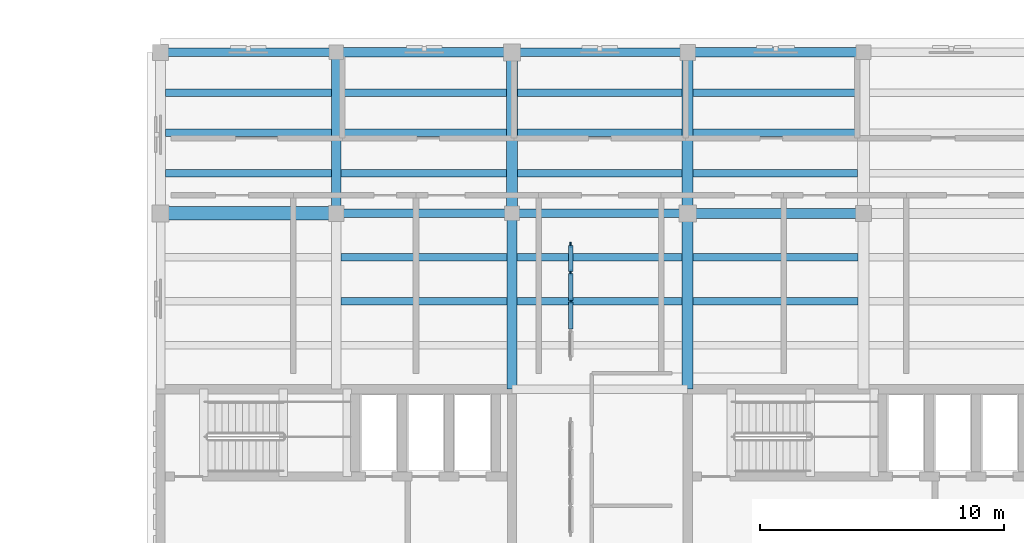
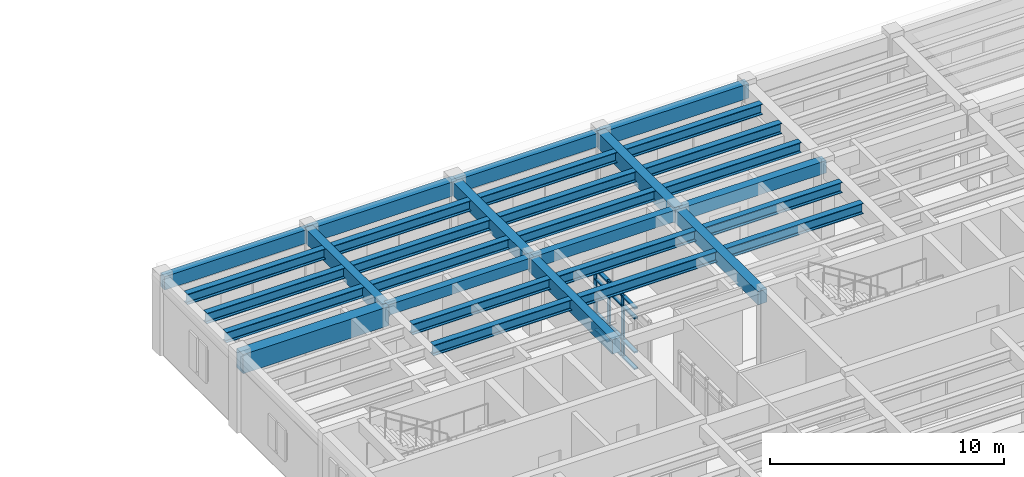
# One storey, part 6 of 40: 31 beams, 15 members, 1 element without a shape of its own.
"""IFC4 building model written with IfcOpenShell, lengths in metres."""

from ifc_helpers import new_model, si_unit, direction, frame, origin, origin_2d, place, context, subcontext, project, spatial, rectangle, i_section, extrude, material, material_profile, profile_set, type_object, element, aggregate, save


model = new_model("IFC4")

# Units and contexts
model_context = context("Model", 3, precision=1e-05, world=origin(), true_north=direction((0.0, 1.0)))
body_context = subcontext(model_context, "Body", "Model", "MODEL_VIEW")
ifc_project = project(units=[si_unit("LENGTHUNIT", "METRE"), si_unit("AREAUNIT", "SQUARE_METRE"), si_unit("VOLUMEUNIT", "CUBIC_METRE"), si_unit("PLANEANGLEUNIT", "RADIAN"), si_unit("MASSUNIT", "GRAM", prefix="KILO")], contexts=[model_context])

# Site, building, storey
site_placement = place(None, origin())
site = spatial("IfcSite", under=ifc_project, at=site_placement, CompositionType="ELEMENT")
building_placement = place(site_placement, origin())
building = spatial("IfcBuilding", under=site, at=building_placement, Name="Mithqara Police Headquarters", CompositionType="ELEMENT")
storey_placement = place(building_placement, frame((0.0, 0.0, 13.800048828125)))
storey = spatial("IfcBuildingStorey", under=building, at=storey_placement, Name="L03", CompositionType="ELEMENT", Elevation=13.800048828125)

# Beams
ifc_material_1 = material(Name="Steel S355JR", Category="steel")
ifc_material_profile_1 = material_profile(ifc_material_1, i_section(OverallWidth=0.300048828125, OverallDepth=0.550048828125, WebThickness=0.014892578125, FlangeThickness=0.029052734375, FilletRadius=0.027099609375, at=origin_2d()), Name="HEB 550")
ifc_profile_set_1 = profile_set([ifc_material_profile_1], Name="Steel S355JR")
beam_type_1 = type_object("IfcBeamType", Name="BEAM HEB550", PredefinedType="BEAM", material=ifc_profile_set_1)
for number, where, z_axis, x_axis, name in (
    (1, (108.800048828125, 109.050048828125, 3.6650390625), (1.0, 0.0, 0.0), (0.0, 1.0, 0.0), "L03 Composite Steel Joist 16-17/R.1"),
    (2, (108.800048828125, 110.699951171875, 3.6650390625), (1.0, 0.0, 0.0), (0.0, 1.0, 0.0), "L03 Composite Steel Joist 16-17/R.2"),
    (3, (108.800048828125, 112.35009765625, 3.6650390625), (1.0, 0.0, 0.0), (0.0, 1.0, 0.0), "L03 Composite Steel Joist 16-17/R.3"),
    (4, (116.0, 103.800048828125, 3.6650390625), (1.0, 0.0, 0.0), (0.0, 1.0, 0.0), "L03 Composite Steel Joist 17-18/Q.2"),
    (5, (116.0, 105.60009765625, 3.6650390625), (1.0, 0.0, 0.0), (0.0, 1.0, 0.0), "L03 Composite Steel Joist 17-18/Q.3"),
):
    element("IfcBeam", number, at=place(storey_placement, frame(where, z_axis=z_axis, x_axis=x_axis)), inside=storey, type_object=beam_type_1, Name=name, PredefinedType="BEAM", context=body_context, shape_type="SweptSolid", body=[
        extrude(i_section(OverallWidth=0.300048828125, OverallDepth=0.550048828125, WebThickness=0.014892578125, FlangeThickness=0.029052734375, FilletRadius=0.027099609375, at=origin_2d()), origin(), (0.0, 0.0, 1.0), 6.800048828125),
    ])
for number, where, z_axis, x_axis, name in (
    (6, (116.0, 109.050048828125, 3.6650390625), (1.0, 0.0, 0.0), (0.0, 1.0, 0.0), "L03 Composite Steel Joist 17-18/R.1"),
    (7, (116.0, 110.699951171875, 3.6650390625), (1.0, 0.0, 0.0), (0.0, 1.0, 0.0), "L03 Composite Steel Joist 17-18/R.2"),
    (8, (116.0, 112.35009765625, 3.6650390625), (1.0, 0.0, 0.0), (0.0, 1.0, 0.0), "L03 Composite Steel Joist 17-18/R.3"),
):
    element("IfcBeam", number, at=place(storey_placement, frame(where, z_axis=z_axis, x_axis=x_axis)), inside=storey, type_object=beam_type_1, Name=name, PredefinedType="BEAM", context=body_context, shape_type="SweptSolid", body=[
        extrude(i_section(OverallWidth=0.300048828125, OverallDepth=0.550048828125, WebThickness=0.014892578125, FlangeThickness=0.029052734375, FilletRadius=0.027099609375, at=origin_2d()), origin(), (0.0, 0.0, 1.0), 6.77490234375),
    ])
for number, where, z_axis, x_axis, name in (
    (9, (123.199951171875, 103.800048828125, 3.6650390625), (1.0, 0.0, 0.0), (0.0, 1.0, 0.0), "L03 Composite Steel Joist 18-19/Q.2"),
    (10, (123.199951171875, 105.60009765625, 3.6650390625), (1.0, 0.0, 0.0), (0.0, 1.0, 0.0), "L03 Composite Steel Joist 18-19/Q.3"),
):
    element("IfcBeam", number, at=place(storey_placement, frame(where, z_axis=z_axis, x_axis=x_axis)), inside=storey, type_object=beam_type_1, Name=name, PredefinedType="BEAM", context=body_context, shape_type="SweptSolid", body=[
        extrude(i_section(OverallWidth=0.300048828125, OverallDepth=0.550048828125, WebThickness=0.014892578125, FlangeThickness=0.029052734375, FilletRadius=0.027099609375, at=origin_2d()), origin(), (0.0, 0.0, 1.0), 6.775146484375),
    ])
for number, where, z_axis, x_axis, name in (
    (11, (123.22509765625, 109.050048828125, 3.6650390625), (1.0, 0.0, 0.0), (0.0, 1.0, 0.0), "L03 Composite Steel Joist 18-19/R.1"),
    (12, (123.22509765625, 110.699951171875, 3.6650390625), (1.0, 0.0, 0.0), (0.0, 1.0, 0.0), "L03 Composite Steel Joist 18-19/R.2"),
    (13, (123.22509765625, 112.35009765625, 3.6650390625), (1.0, 0.0, 0.0), (0.0, 1.0, 0.0), "L03 Composite Steel Joist 18-19/R.3"),
    (14, (130.425048828125, 103.800048828125, 3.6650390625), (1.0, 0.0, 0.0), (0.0, 1.0, 0.0), "L03 Composite Steel Joist 19-20/Q.2"),
    (15, (130.425048828125, 105.60009765625, 3.6650390625), (1.0, 0.0, 0.0), (0.0, 1.0, 0.0), "L03 Composite Steel Joist 19-20/Q.3"),
):
    element("IfcBeam", number, at=place(storey_placement, frame(where, z_axis=z_axis, x_axis=x_axis)), inside=storey, type_object=beam_type_1, Name=name, PredefinedType="BEAM", context=body_context, shape_type="SweptSolid", body=[
        extrude(i_section(OverallWidth=0.300048828125, OverallDepth=0.550048828125, WebThickness=0.014892578125, FlangeThickness=0.029052734375, FilletRadius=0.027099609375, at=origin_2d()), origin(), (0.0, 0.0, 1.0), 6.75),
    ])
for number, where, z_axis, x_axis, name in (
    (16, (130.425048828125, 109.050048828125, 3.6650390625), (1.0, 0.0, 0.0), (0.0, 1.0, 0.0), "L03 Composite Steel Joist 19-20/R.1"),
    (17, (130.425048828125, 110.699951171875, 3.6650390625), (1.0, 0.0, 0.0), (0.0, 1.0, 0.0), "L03 Composite Steel Joist 19-20/R.2"),
    (18, (130.425048828125, 112.35009765625, 3.6650390625), (1.0, 0.0, 0.0), (0.0, 1.0, 0.0), "L03 Composite Steel Joist 19-20/R.3"),
):
    element("IfcBeam", number, at=place(storey_placement, frame(where, z_axis=z_axis, x_axis=x_axis)), inside=storey, type_object=beam_type_1, Name=name, PredefinedType="BEAM", context=body_context, shape_type="SweptSolid", body=[
        extrude(i_section(OverallWidth=0.300048828125, OverallDepth=0.550048828125, WebThickness=0.014892578125, FlangeThickness=0.029052734375, FilletRadius=0.027099609375, at=origin_2d()), origin(), (0.0, 0.0, 1.0), 6.724853515625),
    ])
ifc_material_2 = material(Name="Concrete C40/50", Category="concrete")
ifc_material_profile_2 = material_profile(ifc_material_2, rectangle(XDim=0.35009765625, YDim=0.550048828125, at=origin_2d()), Name="RC 350x550")
ifc_profile_set_2 = profile_set([ifc_material_profile_2], Name="Concrete C40/50")
beam_type_2 = type_object("IfcBeamType", Name="BEAM RC350X550", PredefinedType="BEAM", material=ifc_profile_set_2)
beam_1_placement = place(storey_placement, frame((115.800048828125, 107.39990234375, 3.6650390625), z_axis=(1.0, 0.0, 0.0), x_axis=(0.0, 1.0, 0.0)))
element("IfcBeam", 19, at=beam_1_placement, inside=storey, type_object=beam_type_2, Name="L03 Girder 17-18/R", PredefinedType="BEAM", context=body_context, shape_type="SweptSolid", body=[
    extrude(rectangle(XDim=0.35009765625, YDim=0.550048828125, at=origin_2d()), origin(), (0.0, 0.0, 1.0), 7.199951171875),
])
ifc_material_profile_3 = material_profile(ifc_material_2, rectangle(XDim=0.35009765625, YDim=0.60009765625, at=origin_2d()), Name="RC 350x600")
ifc_profile_set_3 = profile_set([ifc_material_profile_3], Name="Concrete C40/50")
beam_type_3 = type_object("IfcBeamType", Name="BEAM RC350X600", PredefinedType="BEAM", material=ifc_profile_set_3)
beam_2_placement = place(storey_placement, frame((123.0, 107.39990234375, 3.639892578125), z_axis=(1.0, 0.0, 0.0), x_axis=(0.0, 1.0, 0.0)))
element("IfcBeam", 20, at=beam_2_placement, inside=storey, type_object=beam_type_3, Name="L03 Girder 18-19/R", PredefinedType="BEAM", context=body_context, shape_type="SweptSolid", body=[
    extrude(rectangle(XDim=0.35009765625, YDim=0.60009765625, at=origin_2d()), origin(), (0.0, 0.0, 1.0), 7.199951171875),
])
ifc_material_profile_4 = material_profile(ifc_material_2, rectangle(XDim=0.39990234375, YDim=0.64990234375, at=origin_2d()), Name="RC 400x650")
ifc_profile_set_4 = profile_set([ifc_material_profile_4], Name="Concrete C40/50")
beam_type_4 = type_object("IfcBeamType", Name="BEAM RC400X650", PredefinedType="BEAM", material=ifc_profile_set_4)
beam_3_placement = place(storey_placement, frame((130.199951171875, 107.39990234375, 3.614990234375), z_axis=(1.0, 0.0, 0.0), x_axis=(0.0, 1.0, 0.0)))
element("IfcBeam", 21, at=beam_3_placement, inside=storey, type_object=beam_type_4, Name="L03 Girder 19-20/R", PredefinedType="BEAM", context=body_context, shape_type="SweptSolid", body=[
    extrude(rectangle(XDim=0.39990234375, YDim=0.64990234375, at=origin_2d()), origin(), (0.0, 0.0, 1.0), 7.199951171875),
])
ifc_material_profile_5 = material_profile(ifc_material_2, rectangle(XDim=0.39990234375, YDim=0.75, at=origin_2d()), Name="RC 400x750")
ifc_profile_set_5 = profile_set([ifc_material_profile_5], Name="Concrete C40/50")
beam_type_5 = type_object("IfcBeamType", Name="BEAM RC400X750", PredefinedType="BEAM", material=ifc_profile_set_5)
beam_4_placement = place(storey_placement, frame((115.800048828125, 107.39990234375, 3.56494140625), z_axis=(0.0, 1.0, 0.0), x_axis=(-1.0, 0.0, 0.0)))
element("IfcBeam", 22, at=beam_4_placement, inside=storey, type_object=beam_type_5, Name="L03 Girder 17/R-S", PredefinedType="BEAM", context=body_context, shape_type="SweptSolid", body=[
    extrude(rectangle(XDim=0.39990234375, YDim=0.75, at=origin_2d()), origin(), (0.0, 0.0, 1.0), 6.60009765625),
])
beam_5_placement = place(storey_placement, frame((123.0, 100.199951171875, 3.56494140625), z_axis=(0.0, 1.0, 0.0), x_axis=(-1.0, 0.0, 0.0)))
element("IfcBeam", 23, at=beam_5_placement, inside=storey, type_object=beam_type_5, Name="L03 Girder 18/Q-R", PredefinedType="BEAM", context=body_context, shape_type="SweptSolid", body=[
    extrude(rectangle(XDim=0.39990234375, YDim=0.75, at=origin_2d()), origin(), (0.0, 0.0, 1.0), 7.199951171875),
])
ifc_material_profile_6 = material_profile(ifc_material_2, rectangle(XDim=0.449951171875, YDim=0.699951171875, at=origin_2d()), Name="RC 450x700")
ifc_profile_set_6 = profile_set([ifc_material_profile_6], Name="Concrete C40/50")
beam_type_6 = type_object("IfcBeamType", Name="BEAM RC450X700", PredefinedType="BEAM", material=ifc_profile_set_6)
beam_6_placement = place(storey_placement, frame((123.0, 107.39990234375, 3.58984375), z_axis=(0.0, 1.0, 0.0), x_axis=(-1.0, 0.0, 0.0)))
element("IfcBeam", 24, at=beam_6_placement, inside=storey, type_object=beam_type_6, Name="L03 Girder 18/R-S", PredefinedType="BEAM", context=body_context, shape_type="SweptSolid", body=[
    extrude(rectangle(XDim=0.449951171875, YDim=0.699951171875, at=origin_2d()), origin(), (0.0, 0.0, 1.0), 6.60009765625),
])
beam_7_placement = place(storey_placement, frame((130.199951171875, 100.199951171875, 3.58984375), z_axis=(0.0, 1.0, 0.0), x_axis=(-1.0, 0.0, 0.0)))
element("IfcBeam", 25, at=beam_7_placement, inside=storey, type_object=beam_type_6, Name="L03 Girder 19/Q-R", PredefinedType="BEAM", context=body_context, shape_type="SweptSolid", body=[
    extrude(rectangle(XDim=0.449951171875, YDim=0.699951171875, at=origin_2d()), origin(), (0.0, 0.0, 1.0), 7.199951171875),
])
ifc_material_profile_7 = material_profile(ifc_material_2, rectangle(XDim=0.449951171875, YDim=0.800048828125, at=origin_2d()), Name="RC 450x800")
ifc_profile_set_7 = profile_set([ifc_material_profile_7], Name="Concrete C40/50")
beam_type_7 = type_object("IfcBeamType", Name="BEAM RC450X800", PredefinedType="BEAM", material=ifc_profile_set_7)
beam_8_placement = place(storey_placement, frame((130.199951171875, 107.39990234375, 3.5400390625), z_axis=(0.0, 1.0, 0.0), x_axis=(-1.0, 0.0, 0.0)))
element("IfcBeam", 26, at=beam_8_placement, inside=storey, type_object=beam_type_7, Name="L03 Girder 19/R-S", PredefinedType="BEAM", context=body_context, shape_type="SweptSolid", body=[
    extrude(rectangle(XDim=0.449951171875, YDim=0.800048828125, at=origin_2d()), origin(), (0.0, 0.0, 1.0), 6.60009765625),
])
ifc_material_3 = material(Name="Concrete C50/60", Category="concrete")
ifc_material_profile_8 = material_profile(ifc_material_3, rectangle(XDim=0.550048828125, YDim=1.0, at=origin_2d()), Name="RC 550x1000")
ifc_profile_set_8 = profile_set([ifc_material_profile_8], Name="Concrete C50/60")
beam_type_8 = type_object("IfcBeamType", Name="BEAM RC550X1000", PredefinedType="BEAM", material=ifc_profile_set_8)
beam_9_placement = place(storey_placement, frame((108.60009765625, 107.39990234375, 3.43994140625), z_axis=(1.0, 0.0, 0.0), x_axis=(0.0, 1.0, 0.0)))
element("IfcBeam", 27, at=beam_9_placement, inside=storey, type_object=beam_type_8, Name="L03 Girder 16-17/R", PredefinedType="BEAM", context=body_context, shape_type="SweptSolid", body=[
    extrude(rectangle(XDim=0.550048828125, YDim=1.0, at=origin_2d()), origin(), (0.0, 0.0, 1.0), 7.199951171875),
])

# Curtain wall, members
ifc_material_4 = material(Name="Bronze anodised aluminium 6063-T6", Category="aluminium")
curtain_wall_type = type_object("IfcCurtainWallType", Name="CURTAIN WALL 4700X3220", PredefinedType="USERDEFINED", material=ifc_material_4)
curtain_wall_placement = place(storey_placement, origin())
curtain_wall = element("IfcCurtainWall", 28, at=curtain_wall_placement, inside=storey, type_object=curtain_wall_type, Name="L03 Unitised Glazing CW-16 (CW-INT-L03-X17-Y14-0)", ObjectType="UNITISED GLAZING", PredefinedType="USERDEFINED")
ifc_material_profile_9 = material_profile(ifc_material_4, rectangle(XDim=0.074951171875, YDim=0.219970703125, at=origin_2d()), Name="CWM 75x220")
ifc_profile_set_9 = profile_set([ifc_material_profile_9], Name="Bronze anodised aluminium 6063-T6")
member_type_1 = type_object("IfcMemberType", Name="CWMULLION 75X220", PredefinedType="MULLION", material=ifc_profile_set_9)
member_1_placement = place(storey_placement, frame((125.39990234375, 103.800048828125, 0.0), z_axis=(0.0, 0.0, 1.0), x_axis=(-1.0, 0.0, 0.0)))
member_1 = element("IfcMember", 29, at=member_1_placement, type_object=member_type_1, Name="CW-16 mullion 3", PredefinedType="MULLION", context=body_context, shape_type="SweptSolid", body=[
    extrude(rectangle(XDim=0.074951171875, YDim=0.219970703125, at=origin_2d()), origin(), (0.0, 0.0, 1.0), 3.219970703125),
])
member_2_placement = place(storey_placement, frame((125.39990234375, 104.97509765625, 0.0), z_axis=(0.0, 0.0, 1.0), x_axis=(-1.0, 0.0, 0.0)))
member_2 = element("IfcMember", 30, at=member_2_placement, type_object=member_type_1, Name="CW-16 mullion 4", PredefinedType="MULLION", context=body_context, shape_type="SweptSolid", body=[
    extrude(rectangle(XDim=0.074951171875, YDim=0.219970703125, at=origin_2d()), origin(), (0.0, 0.0, 1.0), 3.219970703125),
])
member_3_placement = place(storey_placement, frame((125.39990234375, 106.112548828125, 0.0), z_axis=(0.0, 0.0, 1.0), x_axis=(-1.0, 0.0, 0.0)))
member_3 = element("IfcMember", 31, at=member_3_placement, type_object=member_type_1, Name="CW-16 mullion 5", PredefinedType="MULLION", context=body_context, shape_type="SweptSolid", body=[
    extrude(rectangle(XDim=0.074951171875, YDim=0.219970703125, at=origin_2d()), origin(), (0.0, 0.0, 1.0), 3.219970703125),
])
ifc_material_profile_10 = material_profile(ifc_material_4, rectangle(XDim=0.179931640625, YDim=0.074951171875, at=origin_2d()), Name="CWT 180x75")
ifc_profile_set_10 = profile_set([ifc_material_profile_10], Name="Bronze anodised aluminium 6063-T6")
member_type_2 = type_object("IfcMemberType", Name="CWTRANSOM 180X75", PredefinedType="USERDEFINED", material=ifc_profile_set_10)
member_4_placement = place(storey_placement, frame((125.39990234375, 102.66259765625, 0.037353515625), z_axis=(0.0, 1.0, 0.0), x_axis=(-1.0, 0.0, 0.0)))
member_4 = element("IfcMember", 32, at=member_4_placement, type_object=member_type_2, Name="CW-16 transom 2.1", ObjectType="TRANSOM", PredefinedType="USERDEFINED", context=body_context, shape_type="SweptSolid", body=[
    extrude(rectangle(XDim=0.179931640625, YDim=0.074951171875, at=origin_2d()), origin(), (0.0, 0.0, 1.0), 1.099853515625),
])
member_5_placement = place(storey_placement, frame((125.39990234375, 102.66259765625, 0.89990234375), z_axis=(0.0, 1.0, 0.0), x_axis=(-1.0, 0.0, 0.0)))
member_5 = element("IfcMember", 33, at=member_5_placement, type_object=member_type_2, Name="CW-16 transom 2.2", ObjectType="TRANSOM", PredefinedType="USERDEFINED", context=body_context, shape_type="SweptSolid", body=[
    extrude(rectangle(XDim=0.179931640625, YDim=0.074951171875, at=origin_2d()), origin(), (0.0, 0.0, 1.0), 1.099853515625),
])
member_6_placement = place(storey_placement, frame((125.39990234375, 102.66259765625, 2.669921875), z_axis=(0.0, 1.0, 0.0), x_axis=(-1.0, 0.0, 0.0)))
member_6 = element("IfcMember", 34, at=member_6_placement, type_object=member_type_2, Name="CW-16 transom 2.3", ObjectType="TRANSOM", PredefinedType="USERDEFINED", context=body_context, shape_type="SweptSolid", body=[
    extrude(rectangle(XDim=0.179931640625, YDim=0.074951171875, at=origin_2d()), origin(), (0.0, 0.0, 1.0), 1.099853515625),
])
member_7_placement = place(storey_placement, frame((125.39990234375, 102.66259765625, 3.182373046875), z_axis=(0.0, 1.0, 0.0), x_axis=(-1.0, 0.0, 0.0)))
member_7 = element("IfcMember", 35, at=member_7_placement, type_object=member_type_2, Name="CW-16 transom 2.4", ObjectType="TRANSOM", PredefinedType="USERDEFINED", context=body_context, shape_type="SweptSolid", body=[
    extrude(rectangle(XDim=0.179931640625, YDim=0.074951171875, at=origin_2d()), origin(), (0.0, 0.0, 1.0), 1.099853515625),
])
member_8_placement = place(storey_placement, frame((125.39990234375, 103.83740234375, 0.037353515625), z_axis=(0.0, 1.0, 0.0), x_axis=(-1.0, 0.0, 0.0)))
member_8 = element("IfcMember", 36, at=member_8_placement, type_object=member_type_2, Name="CW-16 transom 3.1", ObjectType="TRANSOM", PredefinedType="USERDEFINED", context=body_context, shape_type="SweptSolid", body=[
    extrude(rectangle(XDim=0.179931640625, YDim=0.074951171875, at=origin_2d()), origin(), (0.0, 0.0, 1.0), 1.10009765625),
])
member_9_placement = place(storey_placement, frame((125.39990234375, 103.83740234375, 0.89990234375), z_axis=(0.0, 1.0, 0.0), x_axis=(-1.0, 0.0, 0.0)))
member_9 = element("IfcMember", 37, at=member_9_placement, type_object=member_type_2, Name="CW-16 transom 3.2", ObjectType="TRANSOM", PredefinedType="USERDEFINED", context=body_context, shape_type="SweptSolid", body=[
    extrude(rectangle(XDim=0.179931640625, YDim=0.074951171875, at=origin_2d()), origin(), (0.0, 0.0, 1.0), 1.10009765625),
])
member_10_placement = place(storey_placement, frame((125.39990234375, 103.83740234375, 2.669921875), z_axis=(0.0, 1.0, 0.0), x_axis=(-1.0, 0.0, 0.0)))
member_10 = element("IfcMember", 38, at=member_10_placement, type_object=member_type_2, Name="CW-16 transom 3.3", ObjectType="TRANSOM", PredefinedType="USERDEFINED", context=body_context, shape_type="SweptSolid", body=[
    extrude(rectangle(XDim=0.179931640625, YDim=0.074951171875, at=origin_2d()), origin(), (0.0, 0.0, 1.0), 1.10009765625),
])
member_11_placement = place(storey_placement, frame((125.39990234375, 103.83740234375, 3.182373046875), z_axis=(0.0, 1.0, 0.0), x_axis=(-1.0, 0.0, 0.0)))
member_11 = element("IfcMember", 39, at=member_11_placement, type_object=member_type_2, Name="CW-16 transom 3.4", ObjectType="TRANSOM", PredefinedType="USERDEFINED", context=body_context, shape_type="SweptSolid", body=[
    extrude(rectangle(XDim=0.179931640625, YDim=0.074951171875, at=origin_2d()), origin(), (0.0, 0.0, 1.0), 1.10009765625),
])
member_12_placement = place(storey_placement, frame((125.39990234375, 105.012451171875, 0.037353515625), z_axis=(0.0, 1.0, 0.0), x_axis=(-1.0, 0.0, 0.0)))
member_12 = element("IfcMember", 40, at=member_12_placement, type_object=member_type_2, Name="CW-16 transom 4.1", ObjectType="TRANSOM", PredefinedType="USERDEFINED", context=body_context, shape_type="SweptSolid", body=[
    extrude(rectangle(XDim=0.179931640625, YDim=0.074951171875, at=origin_2d()), origin(), (0.0, 0.0, 1.0), 1.0625),
])
member_13_placement = place(storey_placement, frame((125.39990234375, 105.012451171875, 0.89990234375), z_axis=(0.0, 1.0, 0.0), x_axis=(-1.0, 0.0, 0.0)))
member_13 = element("IfcMember", 41, at=member_13_placement, type_object=member_type_2, Name="CW-16 transom 4.2", ObjectType="TRANSOM", PredefinedType="USERDEFINED", context=body_context, shape_type="SweptSolid", body=[
    extrude(rectangle(XDim=0.179931640625, YDim=0.074951171875, at=origin_2d()), origin(), (0.0, 0.0, 1.0), 1.0625),
])
member_14_placement = place(storey_placement, frame((125.39990234375, 105.012451171875, 2.669921875), z_axis=(0.0, 1.0, 0.0), x_axis=(-1.0, 0.0, 0.0)))
member_14 = element("IfcMember", 42, at=member_14_placement, type_object=member_type_2, Name="CW-16 transom 4.3", ObjectType="TRANSOM", PredefinedType="USERDEFINED", context=body_context, shape_type="SweptSolid", body=[
    extrude(rectangle(XDim=0.179931640625, YDim=0.074951171875, at=origin_2d()), origin(), (0.0, 0.0, 1.0), 1.0625),
])
member_15_placement = place(storey_placement, frame((125.39990234375, 105.012451171875, 3.182373046875), z_axis=(0.0, 1.0, 0.0), x_axis=(-1.0, 0.0, 0.0)))
member_15 = element("IfcMember", 43, at=member_15_placement, type_object=member_type_2, Name="CW-16 transom 4.4", ObjectType="TRANSOM", PredefinedType="USERDEFINED", context=body_context, shape_type="SweptSolid", body=[
    extrude(rectangle(XDim=0.179931640625, YDim=0.074951171875, at=origin_2d()), origin(), (0.0, 0.0, 1.0), 1.0625),
])
aggregate(curtain_wall, [member_1, member_2, member_3, member_4, member_5, member_6, member_7, member_8, member_9, member_10, member_11, member_12, member_13, member_14, member_15])

# Beams
ifc_material_profile_11 = material_profile(ifc_material_2, rectangle(XDim=0.35009765625, YDim=0.699951171875, at=origin_2d()), Name="SPB 350x700")
ifc_profile_set_11 = profile_set([ifc_material_profile_11], Name="Concrete C40/50")
beam_type_9 = type_object("IfcBeamType", Name="SPANDREL 350X700", PredefinedType="SPANDREL", material=ifc_profile_set_11)
for number, where, z_axis, x_axis, name in (
    (44, (108.60009765625, 114.0, 3.58984375), (1.0, 0.0, 0.0), (0.0, 1.0, 0.0), "L03 Girder 16-17/S"),
    (45, (123.0, 114.0, 3.58984375), (1.0, 0.0, 0.0), (0.0, 1.0, 0.0), "L03 Girder 18-19/S"),
):
    element("IfcBeam", number, at=place(storey_placement, frame(where, z_axis=z_axis, x_axis=x_axis)), inside=storey, type_object=beam_type_9, Name=name, PredefinedType="SPANDREL", context=body_context, shape_type="SweptSolid", body=[
        extrude(rectangle(XDim=0.35009765625, YDim=0.699951171875, at=origin_2d()), origin(), (0.0, 0.0, 1.0), 7.199951171875),
    ])
ifc_material_profile_12 = material_profile(ifc_material_2, rectangle(XDim=0.39990234375, YDim=0.75, at=origin_2d()), Name="SPB 400x750")
ifc_profile_set_12 = profile_set([ifc_material_profile_12], Name="Concrete C40/50")
beam_type_10 = type_object("IfcBeamType", Name="SPANDREL 400X750", PredefinedType="SPANDREL", material=ifc_profile_set_12)
for number, where, z_axis, x_axis, name in (
    (46, (115.800048828125, 114.0, 3.56494140625), (1.0, 0.0, 0.0), (0.0, 1.0, 0.0), "L03 Girder 17-18/S"),
    (47, (130.199951171875, 114.0, 3.56494140625), (1.0, 0.0, 0.0), (0.0, 1.0, 0.0), "L03 Girder 19-20/S"),
):
    element("IfcBeam", number, at=place(storey_placement, frame(where, z_axis=z_axis, x_axis=x_axis)), inside=storey, type_object=beam_type_10, Name=name, PredefinedType="SPANDREL", context=body_context, shape_type="SweptSolid", body=[
        extrude(rectangle(XDim=0.39990234375, YDim=0.75, at=origin_2d()), origin(), (0.0, 0.0, 1.0), 7.199951171875),
    ])

save(model, "model.ifc")
